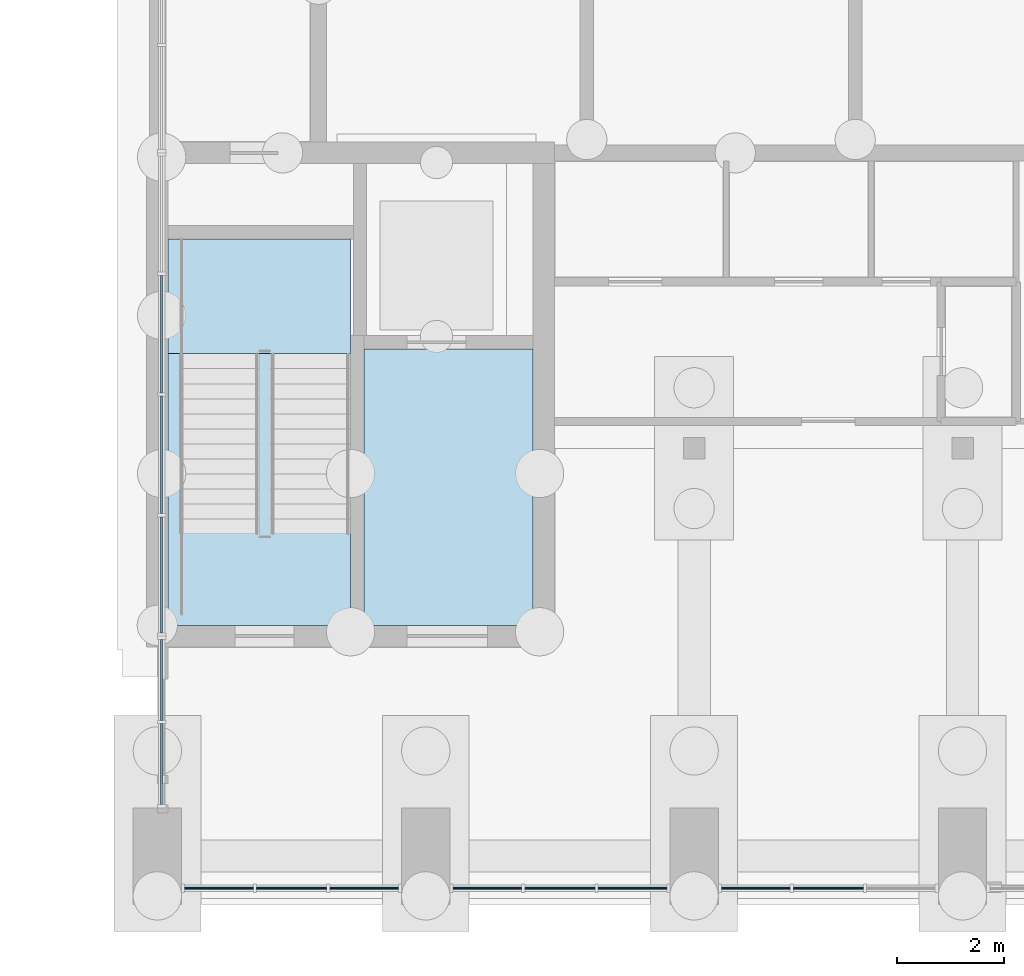
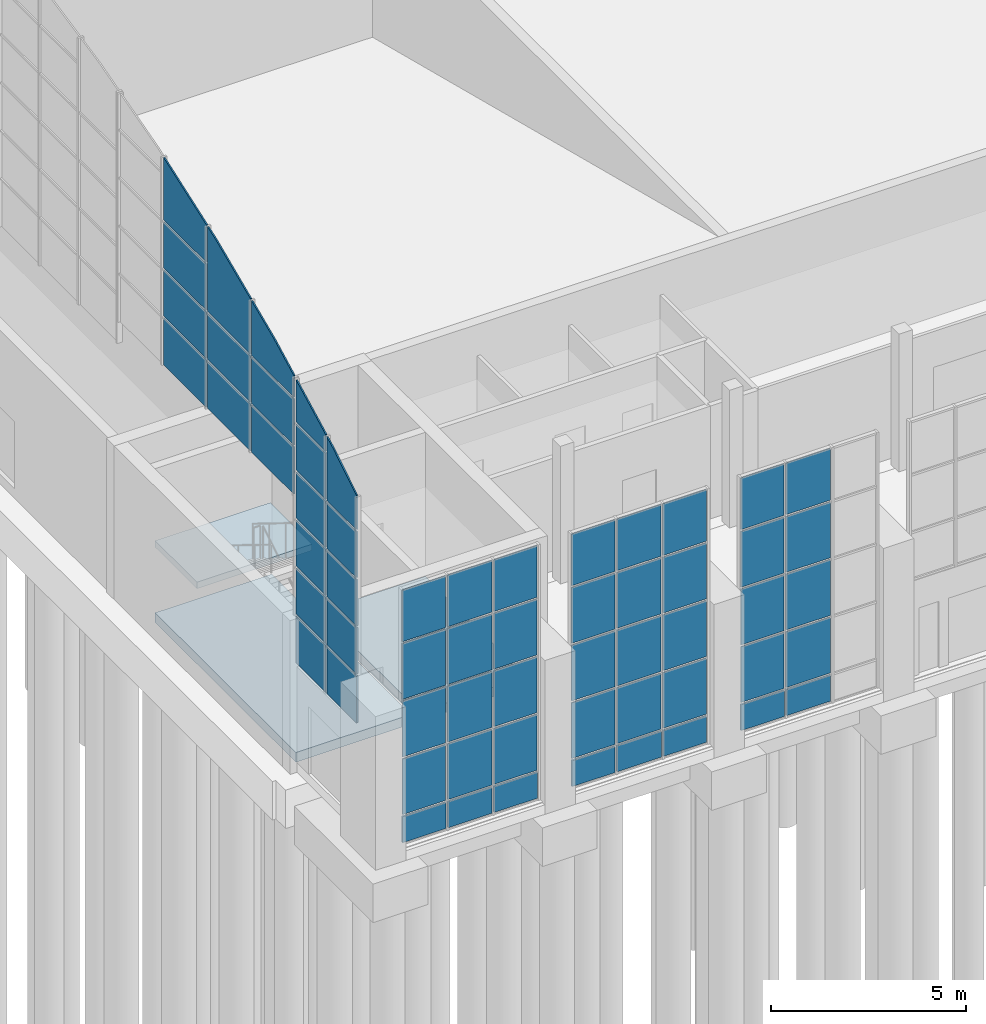
# One storey, part 50 of 106: 61 plates, 3 slabs, 6 elements without a shape of their own.
"""IFC4 building model written with IfcOpenShell, lengths in metres."""

import ifcopenshell
import ifcopenshell.guid

model = None  # the IFC model being written
_history = None  # IfcOwnerHistory: only IFC2X3 demands one
_inside = {}  # id of a spatial element -> (the spatial element, [elements in it])
_under = {}  # id of a project, library or spatial element -> (it, [spatial elements below it])
_declared = {}  # id of a project -> (the project, [libraries it declares])
_typed = {}  # id of a type object -> (the type object, [elements of that type])
_made_of = {}  # id of a material, layer set ... -> (it, [elements and type objects made of it])


def new_model(schema):
    """Start an empty IFC model of exactly this schema.

    Asked for "IFC4X3", IfcOpenShell would pick the latest addendum, in which some entities
    have other attributes; the version numbers below select the first issue.
    IFC2X3 requires an IfcOwnerHistory on every rooted entity: one is made here for all.
    """
    global model, _history
    if schema == "IFC4X3":
        model = ifcopenshell.file(schema_version=(4, 3, 0, 0))
    else:
        model = ifcopenshell.file(schema=schema)
    _inside.clear()
    _under.clear()
    _declared.clear()
    _typed.clear()
    _made_of.clear()
    _history = None
    if model.schema == "IFC2X3":
        org = make("IfcOrganization", Name="unknown")
        user = make(
            "IfcPersonAndOrganization",
            ThePerson=make("IfcPerson", FamilyName="unknown"),
            TheOrganization=org,
        )
        app = make(
            "IfcApplication",
            ApplicationDeveloper=org,
            Version="unknown",
            ApplicationFullName="unknown",
            ApplicationIdentifier="unknown",
        )
        _history = make(
            "IfcOwnerHistory",
            OwningUser=user,
            OwningApplication=app,
            ChangeAction="ADDED",
            CreationDate=0,
        )
    return model


def make(cls, **values):
    """One entity of the class cls with the attributes given. An attribute that is None is left unset."""
    return model.create_entity(
        cls, **{name: value for name, value in values.items() if value is not None}
    )


def rooted(cls, **values):
    """An entity with a GlobalId (a new one), such as an element, a storey or a relation."""
    return make(cls, GlobalId=ifcopenshell.guid.new(), OwnerHistory=_history, **values)


def si_unit(unit_type, name, prefix=None):
    """IfcSIUnit, for example si_unit("LENGTHUNIT", "METRE", prefix="MILLI")."""
    return make("IfcSIUnit", UnitType=unit_type, Prefix=prefix, Name=name)


def assignment(units):
    """IfcUnitAssignment: the units of a project."""
    return None if units is None else make("IfcUnitAssignment", Units=units)


def point(xyz):
    """IfcCartesianPoint."""
    return None if xyz is None else make("IfcCartesianPoint", Coordinates=xyz)


def direction(xyz):
    """IfcDirection."""
    return None if xyz is None else make("IfcDirection", DirectionRatios=xyz)


def frame(location, z_axis=None, x_axis=None):
    """IfcAxis2Placement3D, a coordinate frame: its origin and axes. An axis left out is left unset."""
    return make(
        "IfcAxis2Placement3D",
        Location=point(location),
        Axis=direction(z_axis),
        RefDirection=direction(x_axis),
    )


def frame_2d(location, x_axis=None):
    """IfcAxis2Placement2D, a coordinate frame in the plane: its origin and x axis."""
    return make(
        "IfcAxis2Placement2D", Location=point(location), RefDirection=direction(x_axis)
    )


def origin():
    """The frame at (0, 0, 0) with its axes left unset."""
    return frame((0.0, 0.0, 0.0))


def origin_2d():
    """The frame at (0, 0) in the plane with its x axis left unset."""
    return frame_2d((0.0, 0.0))


def place(relative_to, where):
    """IfcLocalPlacement: puts the frame where relative to a parent placement (None: the world)."""
    return make(
        "IfcLocalPlacement", PlacementRelTo=relative_to, RelativePlacement=where
    )


def context(
    kind, dimensions, precision=None, world=None, true_north=None, identifier=None
):
    """IfcGeometricRepresentationContext, for example the 3D "Model" context."""
    return make(
        "IfcGeometricRepresentationContext",
        ContextIdentifier=identifier,
        ContextType=kind,
        CoordinateSpaceDimension=dimensions,
        Precision=precision,
        WorldCoordinateSystem=world,
        TrueNorth=true_north,
    )


def subcontext(parent, identifier, kind, view, scale=None):
    """IfcGeometricRepresentationSubContext, for example "Body" below "Model"."""
    return make(
        "IfcGeometricRepresentationSubContext",
        ContextIdentifier=identifier,
        ContextType=kind,
        ParentContext=parent,
        TargetScale=scale,
        TargetView=view,
    )


def project(units=None, contexts=None):
    """IfcProject with its units and contexts."""
    return rooted(
        "IfcProject",
        Name="project",
        RepresentationContexts=contexts,
        UnitsInContext=assignment(units),
    )


def spatial(cls, under=None, at=None, **own):
    """A site, building, storey or space (cls), placed at a placement, below another one or the project."""
    s = rooted(cls, ObjectPlacement=at, **own)
    if under is not None:
        _under.setdefault(under.id(), (under, []))[1].append(s)
    return s


def polyline(points):
    """IfcPolyline through the points."""
    return make("IfcPolyline", Points=[point(p) for p in points])


def profile(cls, at=None, kind="AREA", **sizes):
    """A parametric profile (cls). Its sizes go by their IFC names, for example OverallWidth=200.0."""
    return make(cls, ProfileType=kind, Position=at, **sizes)


def rectangle(**sizes):
    """IfcRectangleProfileDef."""
    return profile("IfcRectangleProfileDef", **sizes)


def outline(outer, holes=None, kind="AREA"):
    """IfcArbitraryClosedProfileDef: a profile drawn as a closed curve; with holes, ...WithVoids."""
    if holes is None:
        return make("IfcArbitraryClosedProfileDef", ProfileType=kind, OuterCurve=outer)
    return make(
        "IfcArbitraryProfileDefWithVoids",
        ProfileType=kind,
        OuterCurve=outer,
        InnerCurves=holes,
    )


def extrude(swept, where, along, depth):
    """IfcExtrudedAreaSolid: the profile swept, set in the frame where, extruded along a direction by depth."""
    return make(
        "IfcExtrudedAreaSolid",
        SweptArea=swept,
        Position=where,
        ExtrudedDirection=direction(along),
        Depth=depth,
    )


def shape(context_of_items, identifier, shape_type, items):
    """IfcShapeRepresentation: the items that make up one representation, for example the "Body"."""
    return make(
        "IfcShapeRepresentation",
        ContextOfItems=context_of_items,
        RepresentationIdentifier=identifier,
        RepresentationType=shape_type,
        Items=items,
    )


def material(Name=None, Category=None):
    """IfcMaterial."""
    return make("IfcMaterial", Name=Name, Category=Category)


def layer(
    of_material, thickness, ventilated=None, Name=None, Category=None, Priority=None
):
    """IfcMaterialLayer: one layer of a wall or slab, of a material (None: an air gap)."""
    return make(
        "IfcMaterialLayer",
        Material=of_material,
        LayerThickness=thickness,
        IsVentilated=ventilated,
        Name=Name,
        Category=Category,
        Priority=Priority,
    )


def layer_set(layers, Name=None):
    """IfcMaterialLayerSet."""
    return make("IfcMaterialLayerSet", MaterialLayers=layers, LayerSetName=Name)


def made_of(thing, what):
    """Note that an element or type object is made of a material, layer set ...; save() writes the relation."""
    if what is not None:
        _made_of.setdefault(what.id(), (what, []))[1].append(thing)
    return thing


def type_object(cls, material=None, **own):
    """A type object (cls), such as IfcWallType, which elements share."""
    return made_of(rooted(cls, **own), material)


def element(
    cls,
    number,
    at=None,
    inside=None,
    cuts=None,
    type_object=None,
    material=None,
    context=None,
    identifier="Body",
    shape_type=None,
    held_by="IfcProductDefinitionShape",
    body=None,
    shapes=None,
    **own,
):
    """One element of the class cls, such as IfcWall. Its Tag is "e" and its number.

    at: its placement. inside: the storey or other place that contains it. cuts: it is an
    opening in that element (IfcRelVoidsElement). A single representation is given by context,
    identifier, shape_type and body (its items); several are given by shapes. held_by: the class
    of the entity that holds the representations. save() writes the other relations.
    """
    e = rooted(cls, Tag="e%d" % number, ObjectPlacement=at, **own)
    if body is not None:
        shapes = [shape(context, identifier, shape_type, body)]
    if shapes is not None:
        e.Representation = make(held_by, Representations=shapes)
    if inside is not None:
        _inside.setdefault(inside.id(), (inside, []))[1].append(e)
    if cuts is not None:
        rooted(
            "IfcRelVoidsElement", RelatingBuildingElement=cuts, RelatedOpeningElement=e
        )
    if type_object is not None:
        _typed.setdefault(type_object.id(), (type_object, []))[1].append(e)
    return made_of(e, material)


def aggregate(whole, parts):
    """IfcRelAggregates: a whole, such as a stair, and the parts it consists of."""
    return rooted("IfcRelAggregates", RelatingObject=whole, RelatedObjects=parts)


def save(model, path):
    """Write the relations noted so far, then the file.

    IfcRelAggregates (storeys below a building ...), IfcRelContainedInSpatialStructure (elements
    in a storey), IfcRelDefinesByType, IfcRelAssociatesMaterial and IfcRelDeclares: one each for
    every whole, place, type object, material and project.
    """
    for whole, parts in _under.values():
        aggregate(whole, parts)
    for where, things in _inside.values():
        rooted(
            "IfcRelContainedInSpatialStructure",
            RelatedElements=things,
            RelatingStructure=where,
        )
    for kind, things in _typed.values():
        rooted("IfcRelDefinesByType", RelatedObjects=things, RelatingType=kind)
    for what, things in _made_of.values():
        rooted("IfcRelAssociatesMaterial", RelatedObjects=things, RelatingMaterial=what)
    for by, libraries in _declared.values():
        rooted("IfcRelDeclares", RelatingContext=by, RelatedDefinitions=libraries)
    model.write(path)


model = new_model("IFC4")

# Units and contexts
model_context = context("Model", 3, precision=1e-05, world=origin(), true_north=direction((0.0, 1.0)))
body_context = subcontext(model_context, "Body", "Model", "MODEL_VIEW")
ifc_project = project(units=[si_unit("LENGTHUNIT", "METRE"), si_unit("AREAUNIT", "SQUARE_METRE"), si_unit("VOLUMEUNIT", "CUBIC_METRE"), si_unit("PLANEANGLEUNIT", "RADIAN"), si_unit("MASSUNIT", "GRAM", prefix="KILO")], contexts=[model_context])

# Site, building, storey
site_placement = place(None, origin())
site = spatial("IfcSite", under=ifc_project, at=site_placement, CompositionType="ELEMENT")
building_placement = place(site_placement, origin())
building = spatial("IfcBuilding", under=site, at=building_placement, Name="Merrow Basin Faculty of Sciences", CompositionType="ELEMENT")
storey_placement = place(building_placement, origin())
storey = spatial("IfcBuildingStorey", under=building, at=storey_placement, Name="L00", CompositionType="ELEMENT", Elevation=0.0)

# Slabs
ifc_material_1 = material(Name="Concrete C40/50", Category="concrete")
ifc_layer_1 = layer(ifc_material_1, 0.300048828125)
ifc_layer_set_1 = layer_set([ifc_layer_1], Name="Ground slab 300 Concrete C40/50")
slab_type_1 = type_object("IfcSlabType", Name="Ground slab 300 Concrete C40/50", PredefinedType="BASESLAB", material=ifc_layer_set_1)
slab_1_placement = place(storey_placement, frame((0.0, 0.0, -0.300048828125)))
element("IfcSlab", 1, at=slab_1_placement, inside=storey, type_object=slab_type_1, Name="SL3 ground L00 004", PredefinedType="BASESLAB", context=body_context, shape_type="SweptSolid", body=[
    extrude(outline(polyline([(3.64990234375, 12.39990234375), (3.64990234375, 10.60009765625), (3.60009765625, 10.60009765625), (3.60009765625, 5.199951171875), (0.199951171875, 5.199951171875), (0.199951171875, 12.39990234375), (3.64990234375, 12.39990234375)])), origin(), (0.0, 0.0, 1.0), 0.300048828125),
])
slab_2_placement = place(storey_placement, frame((0.0, 0.0, -0.300048828125)))
element("IfcSlab", 2, at=slab_2_placement, inside=storey, type_object=slab_type_1, Name="SL3 ground L00 007", PredefinedType="BASESLAB", context=body_context, shape_type="SweptSolid", body=[
    extrude(outline(polyline([(3.85009765625, 5.199951171875), (3.85009765625, 10.35009765625), (7.0, 10.35009765625), (7.0, 5.199951171875), (3.85009765625, 5.199951171875)])), origin(), (0.0, 0.0, 1.0), 0.300048828125),
])

# Curtain wall, plates
ifc_material_2 = material(Name="Aluminium alloy 6063", Category="aluminium")
curtain_wall_type_1 = type_object("IfcCurtainWallType", Name="Unitised curtain wall 160", PredefinedType="NOTDEFINED", material=ifc_material_2)
curtain_wall_1_placement = place(storey_placement, origin())
curtain_wall_1 = element("IfcCurtainWall", 3, at=curtain_wall_1_placement, inside=storey, type_object=curtain_wall_type_1, Name="South foyer curtain wall", PredefinedType="NOTDEFINED")
ifc_material_3 = material(Name="Insulated aluminium spandrel panel", Category="aluminium")
ifc_layer_2 = layer(ifc_material_3, 0.052001953125)
ifc_layer_set_2 = layer_set([ifc_layer_2], Name="Insulated spandrel panel 52")
plate_type_1 = type_object("IfcPlateType", Name="Insulated spandrel panel 52", PredefinedType="CURTAIN_PANEL", material=ifc_layer_set_2)
plate_1_placement = place(storey_placement, frame((1.1484375, 0.300048828125, 0.06005859375), z_axis=(0.0, 0.0, 1.0), x_axis=(1.0, 0.0, 0.0)))
plate_1 = element("IfcPlate", 4, at=plate_1_placement, type_object=plate_type_1, Name="CW3 panel 1.1", PredefinedType="CURTAIN_PANEL", context=body_context, shape_type="SweptSolid", body=[
    extrude(rectangle(XDim=1.276611328125, YDim=0.052001953125, at=origin_2d()), origin(), (0.0, 0.0, 1.0), 0.81005859375),
])
plate_2_placement = place(storey_placement, frame((2.5, 0.300048828125, 0.06005859375), z_axis=(0.0, 0.0, 1.0), x_axis=(1.0, 0.0, 0.0)))
plate_2 = element("IfcPlate", 5, at=plate_2_placement, type_object=plate_type_1, Name="CW3 panel 2.1", PredefinedType="CURTAIN_PANEL", context=body_context, shape_type="SweptSolid", body=[
    extrude(rectangle(XDim=1.306640625, YDim=0.052001953125, at=origin_2d()), origin(), (0.0, 0.0, 1.0), 0.81005859375),
])
plate_3_placement = place(storey_placement, frame((3.8515625, 0.300048828125, 0.06005859375), z_axis=(0.0, 0.0, 1.0), x_axis=(1.0, 0.0, 0.0)))
plate_3 = element("IfcPlate", 6, at=plate_3_placement, type_object=plate_type_1, Name="CW3 panel 3.1", PredefinedType="CURTAIN_PANEL", context=body_context, shape_type="SweptSolid", body=[
    extrude(rectangle(XDim=1.276611328125, YDim=0.052001953125, at=origin_2d()), origin(), (0.0, 0.0, 1.0), 0.81005859375),
])

curtain_wall_2_placement = place(storey_placement, origin())
curtain_wall_2 = element("IfcCurtainWall", 7, at=curtain_wall_2_placement, inside=storey, type_object=curtain_wall_type_1, Name="South foyer curtain wall", PredefinedType="NOTDEFINED")
plate_4_placement = place(storey_placement, frame((6.1484375, 0.300048828125, 0.06005859375), z_axis=(0.0, 0.0, 1.0), x_axis=(1.0, 0.0, 0.0)))
plate_4 = element("IfcPlate", 8, at=plate_4_placement, type_object=plate_type_1, Name="CW3 panel 1.1", PredefinedType="CURTAIN_PANEL", context=body_context, shape_type="SweptSolid", body=[
    extrude(rectangle(XDim=1.276611328125, YDim=0.052001953125, at=origin_2d()), origin(), (0.0, 0.0, 1.0), 0.81005859375),
])
plate_5_placement = place(storey_placement, frame((7.5, 0.300048828125, 0.06005859375), z_axis=(0.0, 0.0, 1.0), x_axis=(1.0, 0.0, 0.0)))
plate_5 = element("IfcPlate", 9, at=plate_5_placement, type_object=plate_type_1, Name="CW3 panel 2.1", PredefinedType="CURTAIN_PANEL", context=body_context, shape_type="SweptSolid", body=[
    extrude(rectangle(XDim=1.306640625, YDim=0.052001953125, at=origin_2d()), origin(), (0.0, 0.0, 1.0), 0.81005859375),
])
plate_6_placement = place(storey_placement, frame((8.8515625, 0.300048828125, 0.06005859375), z_axis=(0.0, 0.0, 1.0), x_axis=(1.0, 0.0, 0.0)))
plate_6 = element("IfcPlate", 10, at=plate_6_placement, type_object=plate_type_1, Name="CW3 panel 3.1", PredefinedType="CURTAIN_PANEL", context=body_context, shape_type="SweptSolid", body=[
    extrude(rectangle(XDim=1.276611328125, YDim=0.052001953125, at=origin_2d()), origin(), (0.0, 0.0, 1.0), 0.81005859375),
])

curtain_wall_3_placement = place(storey_placement, origin())
curtain_wall_3 = element("IfcCurtainWall", 11, at=curtain_wall_3_placement, inside=storey, type_object=curtain_wall_type_1, Name="South foyer curtain wall", PredefinedType="NOTDEFINED")
plate_7_placement = place(storey_placement, frame((11.1484375, 0.300048828125, 0.06005859375), z_axis=(0.0, 0.0, 1.0), x_axis=(1.0, 0.0, 0.0)))
plate_7 = element("IfcPlate", 12, at=plate_7_placement, type_object=plate_type_1, Name="CW3 panel 1.1", PredefinedType="CURTAIN_PANEL", context=body_context, shape_type="SweptSolid", body=[
    extrude(rectangle(XDim=1.276611328125, YDim=0.052001953125, at=origin_2d()), origin(), (0.0, 0.0, 1.0), 0.81005859375),
])
plate_8_placement = place(storey_placement, frame((12.5, 0.300048828125, 0.06005859375), z_axis=(0.0, 0.0, 1.0), x_axis=(1.0, 0.0, 0.0)))
plate_8 = element("IfcPlate", 13, at=plate_8_placement, type_object=plate_type_1, Name="CW3 panel 2.1", PredefinedType="CURTAIN_PANEL", context=body_context, shape_type="SweptSolid", body=[
    extrude(rectangle(XDim=1.306640625, YDim=0.052001953125, at=origin_2d()), origin(), (0.0, 0.0, 1.0), 0.81005859375),
])

ifc_material_4 = material(Name="Aluminium alloy 6063", Category="aluminium")
curtain_wall_type_2 = type_object("IfcCurtainWallType", Name="Arched curtain wall 160", PredefinedType="NOTDEFINED", material=ifc_material_4)
curtain_wall_4_placement = place(storey_placement, origin())
curtain_wall_4 = element("IfcCurtainWall", 14, at=curtain_wall_4_placement, inside=storey, type_object=curtain_wall_type_2, Name="West gable glazing A", PredefinedType="NOTDEFINED")
ifc_material_5 = material(Name="Laminated safety glass", Category="glass")
ifc_layer_3 = layer(ifc_material_5, 0.0400390625)
ifc_layer_set_3 = layer_set([ifc_layer_3], Name="Laminated overhead glazing panel 40")
plate_type_2 = type_object("IfcPlateType", Name="Laminated overhead glazing panel 40", PredefinedType="CURTAIN_PANEL", material=ifc_layer_set_3)
plate_9_placement = place(storey_placement, frame((0.06005859375, 1.860107421875, 3.0), z_axis=(1.0, 0.0, 0.0), x_axis=(0.0, 1.0, 0.0)))
plate_9 = element("IfcPlate", 15, at=plate_9_placement, type_object=plate_type_2, Name="CW4 panel 1.1", PredefinedType="CURTAIN_PANEL", context=body_context, shape_type="SweptSolid", body=[
    extrude(outline(polyline([(0.0, 0.0), (1.510009765625, 0.0), (1.510009765625, 1.469970703125), (0.0, 1.469970703125), (0.0, 0.0)])), origin(), (0.0, 0.0, 1.0), 0.0400390625),
])
plate_10_placement = place(storey_placement, frame((0.06005859375, 1.860107421875, 4.530029296875), z_axis=(1.0, 0.0, 0.0), x_axis=(0.0, 1.0, 0.0)))
plate_10 = element("IfcPlate", 16, at=plate_10_placement, type_object=plate_type_2, Name="CW4 panel 1.2", PredefinedType="CURTAIN_PANEL", context=body_context, shape_type="SweptSolid", body=[
    extrude(outline(polyline([(0.0, 0.0), (1.510009765625, 0.0), (1.510009765625, 1.43994140625), (0.0, 1.43994140625), (0.0, 0.0)])), origin(), (0.0, 0.0, 1.0), 0.0400390625),
])
plate_11_placement = place(storey_placement, frame((0.06005859375, 1.860107421875, 6.030029296875), z_axis=(1.0, 0.0, 0.0), x_axis=(0.0, 1.0, 0.0)))
plate_11 = element("IfcPlate", 17, at=plate_11_placement, type_object=plate_type_2, Name="CW4 panel 1.3", PredefinedType="CURTAIN_PANEL", context=body_context, shape_type="SweptSolid", body=[
    extrude(outline(polyline([(0.0, 0.0), (1.510009765625, 0.0), (1.510009765625, 1.43994140625), (0.0, 1.43994140625), (0.0, 0.0)])), origin(), (0.0, 0.0, 1.0), 0.0400390625),
])
plate_12_placement = place(storey_placement, frame((0.06005859375, 1.860107421875, 7.530029296875), z_axis=(1.0, 0.0, 0.0), x_axis=(0.0, 1.0, 0.0)))
plate_12 = element("IfcPlate", 18, at=plate_12_placement, type_object=plate_type_2, Name="CW4 panel 1.4", PredefinedType="CURTAIN_PANEL", context=body_context, shape_type="SweptSolid", body=[
    extrude(outline(polyline([(0.0, 0.0), (1.510009765625, 0.0), (1.510009765625, 1.43994140625), (0.0, 1.43994140625), (0.0, 0.0)])), origin(), (0.0, 0.0, 1.0), 0.0400390625),
])
plate_13_placement = place(storey_placement, frame((0.06005859375, 1.860107421875, 9.030029296875), z_axis=(1.0, 0.0, 0.0), x_axis=(0.0, 1.0, 0.0)))
plate_13 = element("IfcPlate", 19, at=plate_13_placement, type_object=plate_type_2, Name="CW4 panel 1.top", PredefinedType="CURTAIN_PANEL", context=body_context, shape_type="SweptSolid", body=[
    extrude(outline(polyline([(0.0, 0.0), (1.510009765625, 0.0), (1.510009765625, 1.989013671875), (1.215087890625, 1.833984375), (0.0, 1.077880859375), (0.0, 0.0)])), origin(), (0.0, 0.0, 1.0), 0.0400390625),
])
plate_14_placement = place(storey_placement, frame((0.06005859375, 3.429931640625, 3.0), z_axis=(1.0, 0.0, 0.0), x_axis=(0.0, 1.0, 0.0)))
plate_14 = element("IfcPlate", 20, at=plate_14_placement, type_object=plate_type_2, Name="CW4 panel 2.1", PredefinedType="CURTAIN_PANEL", context=body_context, shape_type="SweptSolid", body=[
    extrude(outline(polyline([(0.0, 0.0), (1.510009765625, 0.0), (1.510009765625, 1.469970703125), (0.0, 1.469970703125), (0.0, 0.0)])), origin(), (0.0, 0.0, 1.0), 0.0400390625),
])
plate_15_placement = place(storey_placement, frame((0.06005859375, 3.429931640625, 4.530029296875), z_axis=(1.0, 0.0, 0.0), x_axis=(0.0, 1.0, 0.0)))
plate_15 = element("IfcPlate", 21, at=plate_15_placement, type_object=plate_type_2, Name="CW4 panel 2.2", PredefinedType="CURTAIN_PANEL", context=body_context, shape_type="SweptSolid", body=[
    extrude(outline(polyline([(0.0, 0.0), (1.510009765625, 0.0), (1.510009765625, 1.43994140625), (0.0, 1.43994140625), (0.0, 0.0)])), origin(), (0.0, 0.0, 1.0), 0.0400390625),
])
plate_16_placement = place(storey_placement, frame((0.06005859375, 3.429931640625, 6.030029296875), z_axis=(1.0, 0.0, 0.0), x_axis=(0.0, 1.0, 0.0)))
plate_16 = element("IfcPlate", 22, at=plate_16_placement, type_object=plate_type_2, Name="CW4 panel 2.3", PredefinedType="CURTAIN_PANEL", context=body_context, shape_type="SweptSolid", body=[
    extrude(outline(polyline([(0.0, 0.0), (1.510009765625, 0.0), (1.510009765625, 1.43994140625), (0.0, 1.43994140625), (0.0, 0.0)])), origin(), (0.0, 0.0, 1.0), 0.0400390625),
])
plate_17_placement = place(storey_placement, frame((0.06005859375, 3.429931640625, 7.530029296875), z_axis=(1.0, 0.0, 0.0), x_axis=(0.0, 1.0, 0.0)))
plate_17 = element("IfcPlate", 23, at=plate_17_placement, type_object=plate_type_2, Name="CW4 panel 2.4", PredefinedType="CURTAIN_PANEL", context=body_context, shape_type="SweptSolid", body=[
    extrude(outline(polyline([(0.0, 0.0), (1.510009765625, 0.0), (1.510009765625, 1.43994140625), (0.0, 1.43994140625), (0.0, 0.0)])), origin(), (0.0, 0.0, 1.0), 0.0400390625),
])
plate_18_placement = place(storey_placement, frame((0.06005859375, 3.429931640625, 9.030029296875), z_axis=(1.0, 0.0, 0.0), x_axis=(0.0, 1.0, 0.0)))
plate_18 = element("IfcPlate", 24, at=plate_18_placement, type_object=plate_type_2, Name="CW4 panel 2.5", PredefinedType="CURTAIN_PANEL", context=body_context, shape_type="SweptSolid", body=[
    extrude(outline(polyline([(0.0, 0.0), (1.510009765625, 0.0), (1.510009765625, 1.43994140625), (0.0, 1.43994140625), (0.0, 0.0)])), origin(), (0.0, 0.0, 1.0), 0.0400390625),
])
plate_19_placement = place(storey_placement, frame((0.06005859375, 3.429931640625, 10.530029296875), z_axis=(1.0, 0.0, 0.0), x_axis=(0.0, 1.0, 0.0)))
plate_19 = element("IfcPlate", 25, at=plate_19_placement, type_object=plate_type_2, Name="CW4 panel 2.top", PredefinedType="CURTAIN_PANEL", context=body_context, shape_type="SweptSolid", body=[
    extrude(outline(polyline([(0.0, 0.0), (1.510009765625, 0.0), (1.510009765625, 1.31005859375), (0.0, 0.52001953125), (0.0, 0.0)])), origin(), (0.0, 0.0, 1.0), 0.0400390625),
])
aggregate(curtain_wall_4, [plate_9, plate_10, plate_11, plate_12, plate_13, plate_14, plate_15, plate_16, plate_17, plate_18, plate_19])

curtain_wall_5_placement = place(storey_placement, origin())
curtain_wall_5 = element("IfcCurtainWall", 26, at=curtain_wall_5_placement, inside=storey, type_object=curtain_wall_type_2, Name="West gable glazing B", PredefinedType="NOTDEFINED")
plate_20_placement = place(storey_placement, frame((0.06005859375, 5.06005859375, 8.199951171875), z_axis=(1.0, 0.0, 0.0), x_axis=(0.0, 1.0, 0.0)))
plate_20 = element("IfcPlate", 27, at=plate_20_placement, type_object=plate_type_2, Name="CW4 panel 1.1", PredefinedType="CURTAIN_PANEL", context=body_context, shape_type="SweptSolid", body=[
    extrude(outline(polyline([(0.0, 0.0), (2.159912109375, 0.0), (2.159912109375, 1.469970703125), (0.0, 1.469970703125), (0.0, 0.0)])), origin(), (0.0, 0.0, 1.0), 0.0400390625),
])
plate_21_placement = place(storey_placement, frame((0.06005859375, 5.06005859375, 9.72998046875), z_axis=(1.0, 0.0, 0.0), x_axis=(0.0, 1.0, 0.0)))
plate_21 = element("IfcPlate", 28, at=plate_21_placement, type_object=plate_type_2, Name="CW4 panel 1.2", PredefinedType="CURTAIN_PANEL", context=body_context, shape_type="SweptSolid", body=[
    extrude(outline(polyline([(0.0, 0.0), (2.159912109375, 0.0), (2.159912109375, 1.43994140625), (0.0, 1.43994140625), (0.0, 0.0)])), origin(), (0.0, 0.0, 1.0), 0.0400390625),
])
plate_22_placement = place(storey_placement, frame((0.06005859375, 5.06005859375, 11.22998046875), z_axis=(1.0, 0.0, 0.0), x_axis=(0.0, 1.0, 0.0)))
plate_22 = element("IfcPlate", 29, at=plate_22_placement, type_object=plate_type_2, Name="CW4 panel 1.top", PredefinedType="CURTAIN_PANEL", context=body_context, shape_type="SweptSolid", body=[
    extrude(outline(polyline([(0.0, 0.0), (2.159912109375, 0.0), (2.159912109375, 1.701904296875), (1.0048828125, 1.198974609375), (0.0, 0.673095703125), (0.0, 0.0)])), origin(), (0.0, 0.0, 1.0), 0.0400390625),
])
plate_23_placement = place(storey_placement, frame((0.06005859375, 7.280029296875, 8.199951171875), z_axis=(1.0, 0.0, 0.0), x_axis=(0.0, 1.0, 0.0)))
plate_23 = element("IfcPlate", 30, at=plate_23_placement, type_object=plate_type_2, Name="CW4 panel 2.1", PredefinedType="CURTAIN_PANEL", context=body_context, shape_type="SweptSolid", body=[
    extrude(outline(polyline([(0.0, 0.0), (2.18994140625, 0.0), (2.18994140625, 1.469970703125), (0.0, 1.469970703125), (0.0, 0.0)])), origin(), (0.0, 0.0, 1.0), 0.0400390625),
])
plate_24_placement = place(storey_placement, frame((0.06005859375, 7.280029296875, 9.72998046875), z_axis=(1.0, 0.0, 0.0), x_axis=(0.0, 1.0, 0.0)))
plate_24 = element("IfcPlate", 31, at=plate_24_placement, type_object=plate_type_2, Name="CW4 panel 2.2", PredefinedType="CURTAIN_PANEL", context=body_context, shape_type="SweptSolid", body=[
    extrude(outline(polyline([(0.0, 0.0), (2.18994140625, 0.0), (2.18994140625, 1.43994140625), (0.0, 1.43994140625), (0.0, 0.0)])), origin(), (0.0, 0.0, 1.0), 0.0400390625),
])
plate_25_placement = place(storey_placement, frame((0.06005859375, 7.280029296875, 11.22998046875), z_axis=(1.0, 0.0, 0.0), x_axis=(0.0, 1.0, 0.0)))
plate_25 = element("IfcPlate", 32, at=plate_25_placement, type_object=plate_type_2, Name="CW4 panel 2.top", PredefinedType="CURTAIN_PANEL", context=body_context, shape_type="SweptSolid", body=[
    extrude(outline(polyline([(0.0, 0.0), (2.18994140625, 0.0), (2.18994140625, 2.64697265625), (1.77490234375, 2.5), (0.0, 1.72802734375), (0.0, 0.0)])), origin(), (0.0, 0.0, 1.0), 0.0400390625),
])
plate_26_placement = place(storey_placement, frame((0.06005859375, 9.530029296875, 8.199951171875), z_axis=(1.0, 0.0, 0.0), x_axis=(0.0, 1.0, 0.0)))
plate_26 = element("IfcPlate", 33, at=plate_26_placement, type_object=plate_type_2, Name="CW4 panel 3.1", PredefinedType="CURTAIN_PANEL", context=body_context, shape_type="SweptSolid", body=[
    extrude(outline(polyline([(0.0, 0.0), (2.18994140625, 0.0), (2.18994140625, 1.469970703125), (0.0, 1.469970703125), (0.0, 0.0)])), origin(), (0.0, 0.0, 1.0), 0.0400390625),
])
plate_27_placement = place(storey_placement, frame((0.06005859375, 9.530029296875, 9.72998046875), z_axis=(1.0, 0.0, 0.0), x_axis=(0.0, 1.0, 0.0)))
plate_27 = element("IfcPlate", 34, at=plate_27_placement, type_object=plate_type_2, Name="CW4 panel 3.2", PredefinedType="CURTAIN_PANEL", context=body_context, shape_type="SweptSolid", body=[
    extrude(outline(polyline([(0.0, 0.0), (2.18994140625, 0.0), (2.18994140625, 1.43994140625), (0.0, 1.43994140625), (0.0, 0.0)])), origin(), (0.0, 0.0, 1.0), 0.0400390625),
])
plate_28_placement = place(storey_placement, frame((0.06005859375, 9.530029296875, 11.22998046875), z_axis=(1.0, 0.0, 0.0), x_axis=(0.0, 1.0, 0.0)))
plate_28 = element("IfcPlate", 35, at=plate_28_placement, type_object=plate_type_2, Name="CW4 panel 3.3", PredefinedType="CURTAIN_PANEL", context=body_context, shape_type="SweptSolid", body=[
    extrude(outline(polyline([(0.0, 0.0), (2.18994140625, 0.0), (2.18994140625, 1.43994140625), (0.0, 1.43994140625), (0.0, 0.0)])), origin(), (0.0, 0.0, 1.0), 0.0400390625),
])
plate_29_placement = place(storey_placement, frame((0.06005859375, 9.530029296875, 12.72998046875), z_axis=(1.0, 0.0, 0.0), x_axis=(0.0, 1.0, 0.0)))
plate_29 = element("IfcPlate", 36, at=plate_29_placement, type_object=plate_type_2, Name="CW4 panel 3.top", PredefinedType="CURTAIN_PANEL", context=body_context, shape_type="SweptSolid", body=[
    extrude(outline(polyline([(0.0, 0.0), (2.18994140625, 0.0), (2.18994140625, 1.945068359375), (0.0, 1.1689453125), (0.0, 0.0)])), origin(), (0.0, 0.0, 1.0), 0.0400390625),
])
aggregate(curtain_wall_5, [plate_20, plate_21, plate_22, plate_23, plate_24, plate_25, plate_26, plate_27, plate_28, plate_29])

# Plate
ifc_material_6 = material(Name="Low-E double glazing", Category="glass")
ifc_layer_4 = layer(ifc_material_6, 0.028076171875)
ifc_layer_set_4 = layer_set([ifc_layer_4], Name="Low-E double glazed panel 28")
plate_type_3 = type_object("IfcPlateType", Name="Low-E double glazed panel 28", PredefinedType="CURTAIN_PANEL", material=ifc_layer_set_4)
plate_30_placement = place(storey_placement, frame((1.1484375, 0.300048828125, 0.93017578125), z_axis=(0.0, 0.0, 1.0), x_axis=(1.0, 0.0, 0.0)))
plate_30 = element("IfcPlate", 37, at=plate_30_placement, type_object=plate_type_3, Name="CW3 panel 1.2", PredefinedType="CURTAIN_PANEL", context=body_context, shape_type="SweptSolid", body=[
    extrude(rectangle(XDim=1.276611328125, YDim=0.028076171875, at=origin_2d()), origin(), (0.0, 0.0, 1.0), 1.739990234375),
])

plate_31_placement = place(storey_placement, frame((1.1484375, 0.300048828125, 2.72998046875), z_axis=(0.0, 0.0, 1.0), x_axis=(1.0, 0.0, 0.0)))
plate_31 = element("IfcPlate", 38, at=plate_31_placement, type_object=plate_type_3, Name="CW3 panel 1.3", PredefinedType="CURTAIN_PANEL", context=body_context, shape_type="SweptSolid", body=[
    extrude(rectangle(XDim=1.276611328125, YDim=0.028076171875, at=origin_2d()), origin(), (0.0, 0.0, 1.0), 1.739990234375),
])

plate_32_placement = place(storey_placement, frame((1.1484375, 0.300048828125, 4.52978515625), z_axis=(0.0, 0.0, 1.0), x_axis=(1.0, 0.0, 0.0)))
plate_32 = element("IfcPlate", 39, at=plate_32_placement, type_object=plate_type_3, Name="CW3 panel 1.4", PredefinedType="CURTAIN_PANEL", context=body_context, shape_type="SweptSolid", body=[
    extrude(rectangle(XDim=1.276611328125, YDim=0.028076171875, at=origin_2d()), origin(), (0.0, 0.0, 1.0), 1.739990234375),
])

plate_33_placement = place(storey_placement, frame((1.1484375, 0.300048828125, 6.330078125), z_axis=(0.0, 0.0, 1.0), x_axis=(1.0, 0.0, 0.0)))
plate_33 = element("IfcPlate", 40, at=plate_33_placement, type_object=plate_type_3, Name="CW3 panel 1.5", PredefinedType="CURTAIN_PANEL", context=body_context, shape_type="SweptSolid", body=[
    extrude(rectangle(XDim=1.276611328125, YDim=0.028076171875, at=origin_2d()), origin(), (0.0, 0.0, 1.0), 1.610107421875),
])

plate_34_placement = place(storey_placement, frame((2.5, 0.300048828125, 0.93017578125), z_axis=(0.0, 0.0, 1.0), x_axis=(1.0, 0.0, 0.0)))
plate_34 = element("IfcPlate", 41, at=plate_34_placement, type_object=plate_type_3, Name="CW3 panel 2.2", PredefinedType="CURTAIN_PANEL", context=body_context, shape_type="SweptSolid", body=[
    extrude(rectangle(XDim=1.306640625, YDim=0.028076171875, at=origin_2d()), origin(), (0.0, 0.0, 1.0), 1.739990234375),
])

plate_35_placement = place(storey_placement, frame((2.5, 0.300048828125, 2.72998046875), z_axis=(0.0, 0.0, 1.0), x_axis=(1.0, 0.0, 0.0)))
plate_35 = element("IfcPlate", 42, at=plate_35_placement, type_object=plate_type_3, Name="CW3 panel 2.3", PredefinedType="CURTAIN_PANEL", context=body_context, shape_type="SweptSolid", body=[
    extrude(rectangle(XDim=1.306640625, YDim=0.028076171875, at=origin_2d()), origin(), (0.0, 0.0, 1.0), 1.739990234375),
])

plate_36_placement = place(storey_placement, frame((2.5, 0.300048828125, 4.52978515625), z_axis=(0.0, 0.0, 1.0), x_axis=(1.0, 0.0, 0.0)))
plate_36 = element("IfcPlate", 43, at=plate_36_placement, type_object=plate_type_3, Name="CW3 panel 2.4", PredefinedType="CURTAIN_PANEL", context=body_context, shape_type="SweptSolid", body=[
    extrude(rectangle(XDim=1.306640625, YDim=0.028076171875, at=origin_2d()), origin(), (0.0, 0.0, 1.0), 1.739990234375),
])

plate_37_placement = place(storey_placement, frame((2.5, 0.300048828125, 6.330078125), z_axis=(0.0, 0.0, 1.0), x_axis=(1.0, 0.0, 0.0)))
plate_37 = element("IfcPlate", 44, at=plate_37_placement, type_object=plate_type_3, Name="CW3 panel 2.5", PredefinedType="CURTAIN_PANEL", context=body_context, shape_type="SweptSolid", body=[
    extrude(rectangle(XDim=1.306640625, YDim=0.028076171875, at=origin_2d()), origin(), (0.0, 0.0, 1.0), 1.610107421875),
])

plate_38_placement = place(storey_placement, frame((3.8515625, 0.300048828125, 0.93017578125), z_axis=(0.0, 0.0, 1.0), x_axis=(1.0, 0.0, 0.0)))
plate_38 = element("IfcPlate", 45, at=plate_38_placement, type_object=plate_type_3, Name="CW3 panel 3.2", PredefinedType="CURTAIN_PANEL", context=body_context, shape_type="SweptSolid", body=[
    extrude(rectangle(XDim=1.276611328125, YDim=0.028076171875, at=origin_2d()), origin(), (0.0, 0.0, 1.0), 1.739990234375),
])

plate_39_placement = place(storey_placement, frame((3.8515625, 0.300048828125, 2.72998046875), z_axis=(0.0, 0.0, 1.0), x_axis=(1.0, 0.0, 0.0)))
plate_39 = element("IfcPlate", 46, at=plate_39_placement, type_object=plate_type_3, Name="CW3 panel 3.3", PredefinedType="CURTAIN_PANEL", context=body_context, shape_type="SweptSolid", body=[
    extrude(rectangle(XDim=1.276611328125, YDim=0.028076171875, at=origin_2d()), origin(), (0.0, 0.0, 1.0), 1.739990234375),
])

plate_40_placement = place(storey_placement, frame((3.8515625, 0.300048828125, 4.52978515625), z_axis=(0.0, 0.0, 1.0), x_axis=(1.0, 0.0, 0.0)))
plate_40 = element("IfcPlate", 47, at=plate_40_placement, type_object=plate_type_3, Name="CW3 panel 3.4", PredefinedType="CURTAIN_PANEL", context=body_context, shape_type="SweptSolid", body=[
    extrude(rectangle(XDim=1.276611328125, YDim=0.028076171875, at=origin_2d()), origin(), (0.0, 0.0, 1.0), 1.739990234375),
])

plate_41_placement = place(storey_placement, frame((3.8515625, 0.300048828125, 6.330078125), z_axis=(0.0, 0.0, 1.0), x_axis=(1.0, 0.0, 0.0)))
plate_41 = element("IfcPlate", 48, at=plate_41_placement, type_object=plate_type_3, Name="CW3 panel 3.5", PredefinedType="CURTAIN_PANEL", context=body_context, shape_type="SweptSolid", body=[
    extrude(rectangle(XDim=1.276611328125, YDim=0.028076171875, at=origin_2d()), origin(), (0.0, 0.0, 1.0), 1.610107421875),
])

aggregate(curtain_wall_1, [plate_1, plate_30, plate_31, plate_32, plate_33, plate_2, plate_34, plate_35, plate_36, plate_37, plate_3, plate_38, plate_39, plate_40, plate_41])

plate_42_placement = place(storey_placement, frame((6.1484375, 0.300048828125, 0.93017578125), z_axis=(0.0, 0.0, 1.0), x_axis=(1.0, 0.0, 0.0)))
plate_42 = element("IfcPlate", 49, at=plate_42_placement, type_object=plate_type_3, Name="CW3 panel 1.2", PredefinedType="CURTAIN_PANEL", context=body_context, shape_type="SweptSolid", body=[
    extrude(rectangle(XDim=1.276611328125, YDim=0.028076171875, at=origin_2d()), origin(), (0.0, 0.0, 1.0), 1.739990234375),
])

plate_43_placement = place(storey_placement, frame((6.1484375, 0.300048828125, 2.72998046875), z_axis=(0.0, 0.0, 1.0), x_axis=(1.0, 0.0, 0.0)))
plate_43 = element("IfcPlate", 50, at=plate_43_placement, type_object=plate_type_3, Name="CW3 panel 1.3", PredefinedType="CURTAIN_PANEL", context=body_context, shape_type="SweptSolid", body=[
    extrude(rectangle(XDim=1.276611328125, YDim=0.028076171875, at=origin_2d()), origin(), (0.0, 0.0, 1.0), 1.739990234375),
])

plate_44_placement = place(storey_placement, frame((6.1484375, 0.300048828125, 4.52978515625), z_axis=(0.0, 0.0, 1.0), x_axis=(1.0, 0.0, 0.0)))
plate_44 = element("IfcPlate", 51, at=plate_44_placement, type_object=plate_type_3, Name="CW3 panel 1.4", PredefinedType="CURTAIN_PANEL", context=body_context, shape_type="SweptSolid", body=[
    extrude(rectangle(XDim=1.276611328125, YDim=0.028076171875, at=origin_2d()), origin(), (0.0, 0.0, 1.0), 1.739990234375),
])

plate_45_placement = place(storey_placement, frame((6.1484375, 0.300048828125, 6.330078125), z_axis=(0.0, 0.0, 1.0), x_axis=(1.0, 0.0, 0.0)))
plate_45 = element("IfcPlate", 52, at=plate_45_placement, type_object=plate_type_3, Name="CW3 panel 1.5", PredefinedType="CURTAIN_PANEL", context=body_context, shape_type="SweptSolid", body=[
    extrude(rectangle(XDim=1.276611328125, YDim=0.028076171875, at=origin_2d()), origin(), (0.0, 0.0, 1.0), 1.610107421875),
])

plate_46_placement = place(storey_placement, frame((7.5, 0.300048828125, 0.93017578125), z_axis=(0.0, 0.0, 1.0), x_axis=(1.0, 0.0, 0.0)))
plate_46 = element("IfcPlate", 53, at=plate_46_placement, type_object=plate_type_3, Name="CW3 panel 2.2", PredefinedType="CURTAIN_PANEL", context=body_context, shape_type="SweptSolid", body=[
    extrude(rectangle(XDim=1.306640625, YDim=0.028076171875, at=origin_2d()), origin(), (0.0, 0.0, 1.0), 1.739990234375),
])

plate_47_placement = place(storey_placement, frame((7.5, 0.300048828125, 2.72998046875), z_axis=(0.0, 0.0, 1.0), x_axis=(1.0, 0.0, 0.0)))
plate_47 = element("IfcPlate", 54, at=plate_47_placement, type_object=plate_type_3, Name="CW3 panel 2.3", PredefinedType="CURTAIN_PANEL", context=body_context, shape_type="SweptSolid", body=[
    extrude(rectangle(XDim=1.306640625, YDim=0.028076171875, at=origin_2d()), origin(), (0.0, 0.0, 1.0), 1.739990234375),
])

plate_48_placement = place(storey_placement, frame((7.5, 0.300048828125, 4.52978515625), z_axis=(0.0, 0.0, 1.0), x_axis=(1.0, 0.0, 0.0)))
plate_48 = element("IfcPlate", 55, at=plate_48_placement, type_object=plate_type_3, Name="CW3 panel 2.4", PredefinedType="CURTAIN_PANEL", context=body_context, shape_type="SweptSolid", body=[
    extrude(rectangle(XDim=1.306640625, YDim=0.028076171875, at=origin_2d()), origin(), (0.0, 0.0, 1.0), 1.739990234375),
])

plate_49_placement = place(storey_placement, frame((7.5, 0.300048828125, 6.330078125), z_axis=(0.0, 0.0, 1.0), x_axis=(1.0, 0.0, 0.0)))
plate_49 = element("IfcPlate", 56, at=plate_49_placement, type_object=plate_type_3, Name="CW3 panel 2.5", PredefinedType="CURTAIN_PANEL", context=body_context, shape_type="SweptSolid", body=[
    extrude(rectangle(XDim=1.306640625, YDim=0.028076171875, at=origin_2d()), origin(), (0.0, 0.0, 1.0), 1.610107421875),
])

plate_50_placement = place(storey_placement, frame((8.8515625, 0.300048828125, 0.93017578125), z_axis=(0.0, 0.0, 1.0), x_axis=(1.0, 0.0, 0.0)))
plate_50 = element("IfcPlate", 57, at=plate_50_placement, type_object=plate_type_3, Name="CW3 panel 3.2", PredefinedType="CURTAIN_PANEL", context=body_context, shape_type="SweptSolid", body=[
    extrude(rectangle(XDim=1.276611328125, YDim=0.028076171875, at=origin_2d()), origin(), (0.0, 0.0, 1.0), 1.739990234375),
])

plate_51_placement = place(storey_placement, frame((8.8515625, 0.300048828125, 2.72998046875), z_axis=(0.0, 0.0, 1.0), x_axis=(1.0, 0.0, 0.0)))
plate_51 = element("IfcPlate", 58, at=plate_51_placement, type_object=plate_type_3, Name="CW3 panel 3.3", PredefinedType="CURTAIN_PANEL", context=body_context, shape_type="SweptSolid", body=[
    extrude(rectangle(XDim=1.276611328125, YDim=0.028076171875, at=origin_2d()), origin(), (0.0, 0.0, 1.0), 1.739990234375),
])

plate_52_placement = place(storey_placement, frame((8.8515625, 0.300048828125, 4.52978515625), z_axis=(0.0, 0.0, 1.0), x_axis=(1.0, 0.0, 0.0)))
plate_52 = element("IfcPlate", 59, at=plate_52_placement, type_object=plate_type_3, Name="CW3 panel 3.4", PredefinedType="CURTAIN_PANEL", context=body_context, shape_type="SweptSolid", body=[
    extrude(rectangle(XDim=1.276611328125, YDim=0.028076171875, at=origin_2d()), origin(), (0.0, 0.0, 1.0), 1.739990234375),
])

plate_53_placement = place(storey_placement, frame((8.8515625, 0.300048828125, 6.330078125), z_axis=(0.0, 0.0, 1.0), x_axis=(1.0, 0.0, 0.0)))
plate_53 = element("IfcPlate", 60, at=plate_53_placement, type_object=plate_type_3, Name="CW3 panel 3.5", PredefinedType="CURTAIN_PANEL", context=body_context, shape_type="SweptSolid", body=[
    extrude(rectangle(XDim=1.276611328125, YDim=0.028076171875, at=origin_2d()), origin(), (0.0, 0.0, 1.0), 1.610107421875),
])

aggregate(curtain_wall_2, [plate_4, plate_42, plate_43, plate_44, plate_45, plate_5, plate_46, plate_47, plate_48, plate_49, plate_6, plate_50, plate_51, plate_52, plate_53])

plate_54_placement = place(storey_placement, frame((11.1484375, 0.300048828125, 0.93017578125), z_axis=(0.0, 0.0, 1.0), x_axis=(1.0, 0.0, 0.0)))
plate_54 = element("IfcPlate", 61, at=plate_54_placement, type_object=plate_type_3, Name="CW3 panel 1.2", PredefinedType="CURTAIN_PANEL", context=body_context, shape_type="SweptSolid", body=[
    extrude(rectangle(XDim=1.276611328125, YDim=0.028076171875, at=origin_2d()), origin(), (0.0, 0.0, 1.0), 1.739990234375),
])

plate_55_placement = place(storey_placement, frame((11.1484375, 0.300048828125, 2.72998046875), z_axis=(0.0, 0.0, 1.0), x_axis=(1.0, 0.0, 0.0)))
plate_55 = element("IfcPlate", 62, at=plate_55_placement, type_object=plate_type_3, Name="CW3 panel 1.3", PredefinedType="CURTAIN_PANEL", context=body_context, shape_type="SweptSolid", body=[
    extrude(rectangle(XDim=1.276611328125, YDim=0.028076171875, at=origin_2d()), origin(), (0.0, 0.0, 1.0), 1.739990234375),
])

plate_56_placement = place(storey_placement, frame((11.1484375, 0.300048828125, 4.52978515625), z_axis=(0.0, 0.0, 1.0), x_axis=(1.0, 0.0, 0.0)))
plate_56 = element("IfcPlate", 63, at=plate_56_placement, type_object=plate_type_3, Name="CW3 panel 1.4", PredefinedType="CURTAIN_PANEL", context=body_context, shape_type="SweptSolid", body=[
    extrude(rectangle(XDim=1.276611328125, YDim=0.028076171875, at=origin_2d()), origin(), (0.0, 0.0, 1.0), 1.739990234375),
])

plate_57_placement = place(storey_placement, frame((11.1484375, 0.300048828125, 6.330078125), z_axis=(0.0, 0.0, 1.0), x_axis=(1.0, 0.0, 0.0)))
plate_57 = element("IfcPlate", 64, at=plate_57_placement, type_object=plate_type_3, Name="CW3 panel 1.5", PredefinedType="CURTAIN_PANEL", context=body_context, shape_type="SweptSolid", body=[
    extrude(rectangle(XDim=1.276611328125, YDim=0.028076171875, at=origin_2d()), origin(), (0.0, 0.0, 1.0), 1.610107421875),
])

plate_58_placement = place(storey_placement, frame((12.5, 0.300048828125, 0.93017578125), z_axis=(0.0, 0.0, 1.0), x_axis=(1.0, 0.0, 0.0)))
plate_58 = element("IfcPlate", 65, at=plate_58_placement, type_object=plate_type_3, Name="CW3 panel 2.2", PredefinedType="CURTAIN_PANEL", context=body_context, shape_type="SweptSolid", body=[
    extrude(rectangle(XDim=1.306640625, YDim=0.028076171875, at=origin_2d()), origin(), (0.0, 0.0, 1.0), 1.739990234375),
])

plate_59_placement = place(storey_placement, frame((12.5, 0.300048828125, 2.72998046875), z_axis=(0.0, 0.0, 1.0), x_axis=(1.0, 0.0, 0.0)))
plate_59 = element("IfcPlate", 66, at=plate_59_placement, type_object=plate_type_3, Name="CW3 panel 2.3", PredefinedType="CURTAIN_PANEL", context=body_context, shape_type="SweptSolid", body=[
    extrude(rectangle(XDim=1.306640625, YDim=0.028076171875, at=origin_2d()), origin(), (0.0, 0.0, 1.0), 1.739990234375),
])

plate_60_placement = place(storey_placement, frame((12.5, 0.300048828125, 4.52978515625), z_axis=(0.0, 0.0, 1.0), x_axis=(1.0, 0.0, 0.0)))
plate_60 = element("IfcPlate", 67, at=plate_60_placement, type_object=plate_type_3, Name="CW3 panel 2.4", PredefinedType="CURTAIN_PANEL", context=body_context, shape_type="SweptSolid", body=[
    extrude(rectangle(XDim=1.306640625, YDim=0.028076171875, at=origin_2d()), origin(), (0.0, 0.0, 1.0), 1.739990234375),
])

plate_61_placement = place(storey_placement, frame((12.5, 0.300048828125, 6.330078125), z_axis=(0.0, 0.0, 1.0), x_axis=(1.0, 0.0, 0.0)))
plate_61 = element("IfcPlate", 68, at=plate_61_placement, type_object=plate_type_3, Name="CW3 panel 2.5", PredefinedType="CURTAIN_PANEL", context=body_context, shape_type="SweptSolid", body=[
    extrude(rectangle(XDim=1.306640625, YDim=0.028076171875, at=origin_2d()), origin(), (0.0, 0.0, 1.0), 1.610107421875),
])

aggregate(curtain_wall_3, [plate_7, plate_54, plate_55, plate_56, plate_57, plate_8, plate_58, plate_59, plate_60, plate_61])

# Stair, slab
ifc_material_7 = material(Name="Concrete C40/50", Category="concrete")
stair_type = type_object("IfcStairType", Name="Concrete dog-leg stair Concrete C40/50", PredefinedType="HALF_TURN_STAIR", material=ifc_material_7)
stair_placement = place(storey_placement, origin())
stair = element("IfcStair", 69, at=stair_placement, inside=storey, type_object=stair_type, Name="L00 Exit stair W", PredefinedType="HALF_TURN_STAIR")
ifc_material_8 = material(Name="Concrete C40/50", Category="concrete")
ifc_layer_5 = layer(ifc_material_8, 0.199951171875)
ifc_layer_set_5 = layer_set([ifc_layer_5], Name="Stair landing 200 Concrete C40/50")
slab_type_2 = type_object("IfcSlabType", Name="Stair landing 200 Concrete C40/50", PredefinedType="LANDING", material=ifc_layer_set_5)
slab_3_placement = place(storey_placement, frame((0.0, 0.0, 2.050048828125)))
slab_3 = element("IfcSlab", 70, at=slab_3_placement, type_object=slab_type_2, Name="ST-V1-W landing 1", PredefinedType="LANDING", context=body_context, shape_type="SweptSolid", body=[
    extrude(outline(polyline([(0.199951171875, 10.260009765625), (3.60009765625, 10.260009765625), (3.60009765625, 12.39990234375), (0.199951171875, 12.39990234375), (0.199951171875, 10.260009765625)])), origin(), (0.0, 0.0, 1.0), 0.199951171875),
])
aggregate(stair, [slab_3])

save(model, "model.ifc")
